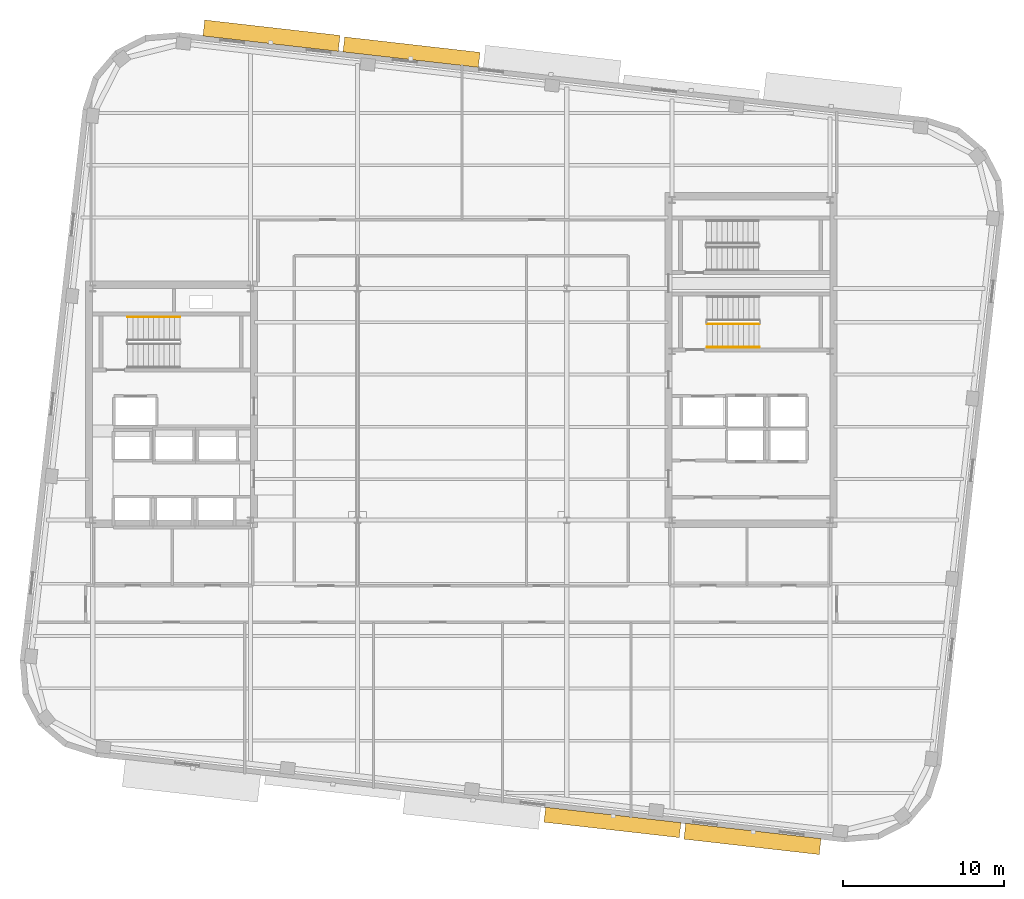
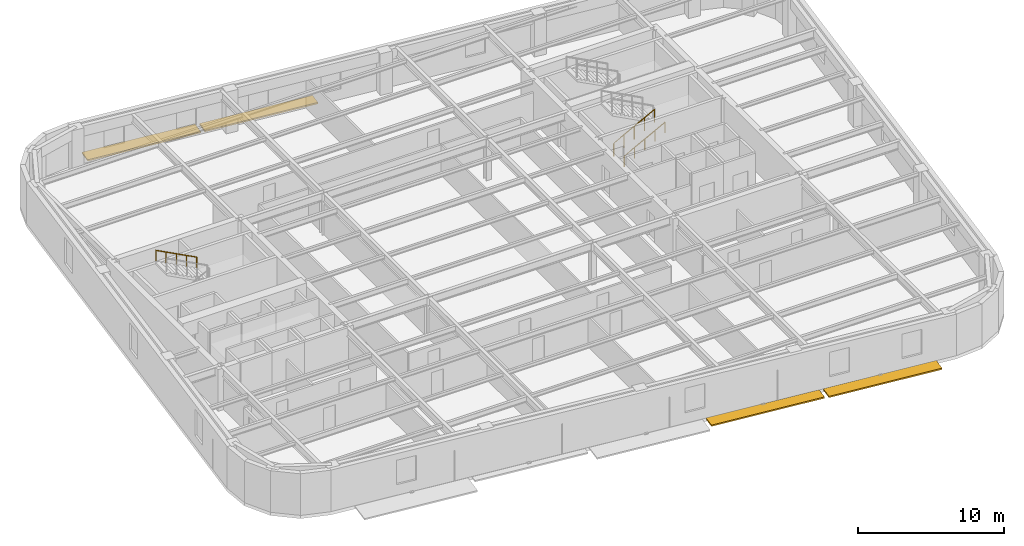
# One storey, part 11 of 12: 4 shading devices, 3 railings.
"""IFC4 building model written with IfcOpenShell, lengths in metres."""

import ifcopenshell
import ifcopenshell.guid

model = None  # the IFC model being written
_history = None  # IfcOwnerHistory: only IFC2X3 demands one
_inside = {}  # id of a spatial element -> (the spatial element, [elements in it])
_under = {}  # id of a project, library or spatial element -> (it, [spatial elements below it])
_declared = {}  # id of a project -> (the project, [libraries it declares])
_typed = {}  # id of a type object -> (the type object, [elements of that type])
_made_of = {}  # id of a material, layer set ... -> (it, [elements and type objects made of it])


def new_model(schema):
    """Start an empty IFC model of exactly this schema.

    Asked for "IFC4X3", IfcOpenShell would pick the latest addendum, in which some entities
    have other attributes; the version numbers below select the first issue.
    IFC2X3 requires an IfcOwnerHistory on every rooted entity: one is made here for all.
    """
    global model, _history
    if schema == "IFC4X3":
        model = ifcopenshell.file(schema_version=(4, 3, 0, 0))
    else:
        model = ifcopenshell.file(schema=schema)
    _inside.clear()
    _under.clear()
    _declared.clear()
    _typed.clear()
    _made_of.clear()
    _history = None
    if model.schema == "IFC2X3":
        org = make("IfcOrganization", Name="unknown")
        user = make(
            "IfcPersonAndOrganization",
            ThePerson=make("IfcPerson", FamilyName="unknown"),
            TheOrganization=org,
        )
        app = make(
            "IfcApplication",
            ApplicationDeveloper=org,
            Version="unknown",
            ApplicationFullName="unknown",
            ApplicationIdentifier="unknown",
        )
        _history = make(
            "IfcOwnerHistory",
            OwningUser=user,
            OwningApplication=app,
            ChangeAction="ADDED",
            CreationDate=0,
        )
    return model


def make(cls, **values):
    """One entity of the class cls with the attributes given. An attribute that is None is left unset."""
    return model.create_entity(
        cls, **{name: value for name, value in values.items() if value is not None}
    )


def rooted(cls, **values):
    """An entity with a GlobalId (a new one), such as an element, a storey or a relation."""
    return make(cls, GlobalId=ifcopenshell.guid.new(), OwnerHistory=_history, **values)


def si_unit(unit_type, name, prefix=None):
    """IfcSIUnit, for example si_unit("LENGTHUNIT", "METRE", prefix="MILLI")."""
    return make("IfcSIUnit", UnitType=unit_type, Prefix=prefix, Name=name)


def assignment(units):
    """IfcUnitAssignment: the units of a project."""
    return None if units is None else make("IfcUnitAssignment", Units=units)


def point(xyz):
    """IfcCartesianPoint."""
    return None if xyz is None else make("IfcCartesianPoint", Coordinates=xyz)


def direction(xyz):
    """IfcDirection."""
    return None if xyz is None else make("IfcDirection", DirectionRatios=xyz)


def frame(location, z_axis=None, x_axis=None):
    """IfcAxis2Placement3D, a coordinate frame: its origin and axes. An axis left out is left unset."""
    return make(
        "IfcAxis2Placement3D",
        Location=point(location),
        Axis=direction(z_axis),
        RefDirection=direction(x_axis),
    )


def frame_2d(location, x_axis=None):
    """IfcAxis2Placement2D, a coordinate frame in the plane: its origin and x axis."""
    return make(
        "IfcAxis2Placement2D", Location=point(location), RefDirection=direction(x_axis)
    )


def origin():
    """The frame at (0, 0, 0) with its axes left unset."""
    return frame((0.0, 0.0, 0.0))


def origin_2d():
    """The frame at (0, 0) in the plane with its x axis left unset."""
    return frame_2d((0.0, 0.0))


def place(relative_to, where):
    """IfcLocalPlacement: puts the frame where relative to a parent placement (None: the world)."""
    return make(
        "IfcLocalPlacement", PlacementRelTo=relative_to, RelativePlacement=where
    )


def context(
    kind, dimensions, precision=None, world=None, true_north=None, identifier=None
):
    """IfcGeometricRepresentationContext, for example the 3D "Model" context."""
    return make(
        "IfcGeometricRepresentationContext",
        ContextIdentifier=identifier,
        ContextType=kind,
        CoordinateSpaceDimension=dimensions,
        Precision=precision,
        WorldCoordinateSystem=world,
        TrueNorth=true_north,
    )


def subcontext(parent, identifier, kind, view, scale=None):
    """IfcGeometricRepresentationSubContext, for example "Body" below "Model"."""
    return make(
        "IfcGeometricRepresentationSubContext",
        ContextIdentifier=identifier,
        ContextType=kind,
        ParentContext=parent,
        TargetScale=scale,
        TargetView=view,
    )


def project(units=None, contexts=None):
    """IfcProject with its units and contexts."""
    return rooted(
        "IfcProject",
        Name="project",
        RepresentationContexts=contexts,
        UnitsInContext=assignment(units),
    )


def spatial(cls, under=None, at=None, **own):
    """A site, building, storey or space (cls), placed at a placement, below another one or the project."""
    s = rooted(cls, ObjectPlacement=at, **own)
    if under is not None:
        _under.setdefault(under.id(), (under, []))[1].append(s)
    return s


def profile(cls, at=None, kind="AREA", **sizes):
    """A parametric profile (cls). Its sizes go by their IFC names, for example OverallWidth=200.0."""
    return make(cls, ProfileType=kind, Position=at, **sizes)


def rectangle(**sizes):
    """IfcRectangleProfileDef."""
    return profile("IfcRectangleProfileDef", **sizes)


def circle(**sizes):
    """IfcCircleProfileDef."""
    return profile("IfcCircleProfileDef", **sizes)


def extrude(swept, where, along, depth):
    """IfcExtrudedAreaSolid: the profile swept, set in the frame where, extruded along a direction by depth."""
    return make(
        "IfcExtrudedAreaSolid",
        SweptArea=swept,
        Position=where,
        ExtrudedDirection=direction(along),
        Depth=depth,
    )


def shape(context_of_items, identifier, shape_type, items):
    """IfcShapeRepresentation: the items that make up one representation, for example the "Body"."""
    return make(
        "IfcShapeRepresentation",
        ContextOfItems=context_of_items,
        RepresentationIdentifier=identifier,
        RepresentationType=shape_type,
        Items=items,
    )


def material(Name=None, Category=None):
    """IfcMaterial."""
    return make("IfcMaterial", Name=Name, Category=Category)


def made_of(thing, what):
    """Note that an element or type object is made of a material, layer set ...; save() writes the relation."""
    if what is not None:
        _made_of.setdefault(what.id(), (what, []))[1].append(thing)
    return thing


def type_object(cls, material=None, **own):
    """A type object (cls), such as IfcWallType, which elements share."""
    return made_of(rooted(cls, **own), material)


def element(
    cls,
    number,
    at=None,
    inside=None,
    cuts=None,
    type_object=None,
    material=None,
    context=None,
    identifier="Body",
    shape_type=None,
    held_by="IfcProductDefinitionShape",
    body=None,
    shapes=None,
    **own,
):
    """One element of the class cls, such as IfcWall. Its Tag is "e" and its number.

    at: its placement. inside: the storey or other place that contains it. cuts: it is an
    opening in that element (IfcRelVoidsElement). A single representation is given by context,
    identifier, shape_type and body (its items); several are given by shapes. held_by: the class
    of the entity that holds the representations. save() writes the other relations.
    """
    e = rooted(cls, Tag="e%d" % number, ObjectPlacement=at, **own)
    if body is not None:
        shapes = [shape(context, identifier, shape_type, body)]
    if shapes is not None:
        e.Representation = make(held_by, Representations=shapes)
    if inside is not None:
        _inside.setdefault(inside.id(), (inside, []))[1].append(e)
    if cuts is not None:
        rooted(
            "IfcRelVoidsElement", RelatingBuildingElement=cuts, RelatedOpeningElement=e
        )
    if type_object is not None:
        _typed.setdefault(type_object.id(), (type_object, []))[1].append(e)
    return made_of(e, material)


def aggregate(whole, parts):
    """IfcRelAggregates: a whole, such as a stair, and the parts it consists of."""
    return rooted("IfcRelAggregates", RelatingObject=whole, RelatedObjects=parts)


def save(model, path):
    """Write the relations noted so far, then the file.

    IfcRelAggregates (storeys below a building ...), IfcRelContainedInSpatialStructure (elements
    in a storey), IfcRelDefinesByType, IfcRelAssociatesMaterial and IfcRelDeclares: one each for
    every whole, place, type object, material and project.
    """
    for whole, parts in _under.values():
        aggregate(whole, parts)
    for where, things in _inside.values():
        rooted(
            "IfcRelContainedInSpatialStructure",
            RelatedElements=things,
            RelatingStructure=where,
        )
    for kind, things in _typed.values():
        rooted("IfcRelDefinesByType", RelatedObjects=things, RelatingType=kind)
    for what, things in _made_of.values():
        rooted("IfcRelAssociatesMaterial", RelatedObjects=things, RelatingMaterial=what)
    for by, libraries in _declared.values():
        rooted("IfcRelDeclares", RelatingContext=by, RelatedDefinitions=libraries)
    model.write(path)


model = new_model("IFC4")

# Units and contexts
model_context = context("Model", 3, precision=1e-05, world=origin(), true_north=direction((0.0, 1.0)))
body_context = subcontext(model_context, "Body", "Model", "MODEL_VIEW")
ifc_project = project(units=[si_unit("LENGTHUNIT", "METRE"), si_unit("AREAUNIT", "SQUARE_METRE"), si_unit("VOLUMEUNIT", "CUBIC_METRE"), si_unit("PLANEANGLEUNIT", "RADIAN"), si_unit("MASSUNIT", "GRAM", prefix="KILO")], contexts=[model_context])

# Site, building, storey
site_placement = place(None, origin())
site = spatial("IfcSite", under=ifc_project, at=site_placement, CompositionType="ELEMENT")
building_placement = place(site_placement, origin())
building = spatial("IfcBuilding", under=site, at=building_placement, Name="Kolvaren Arena Tower", CompositionType="ELEMENT")
storey_placement = place(building_placement, frame((0.0, 0.0, 220.949951171875)))
storey = spatial("IfcBuildingStorey", under=building, at=storey_placement, Name="L53", CompositionType="ELEMENT", Elevation=220.949951171875)

# Railings
ifc_material_1 = material(Name="Painted galvanized steel", Category="steel")
railing_type_1 = type_object("IfcRailingType", Name="GUARD-ST-110", PredefinedType="GUARDRAIL", material=ifc_material_1)
railing_1_placement = place(storey_placement, frame((52.719970703125, 31.639892578125, 0.17041015625)))
element("IfcRailing", 1, at=railing_1_placement, inside=storey, type_object=railing_type_1, Name="L53 ST-E1 stair guard 1", PredefinedType="GUARDRAIL", context=body_context, shape_type="SweptSolid", body=[
    extrude(circle(Radius=0.02392578125, at=origin_2d()), frame((0.0, 0.0, 1.076171875), z_axis=(0.884993431791, 0.0, 0.465603506952), x_axis=(0.0, 1.0, 0.0)), (0.0, 0.0, 1.0), 3.6611328125),
    extrude(circle(Radius=0.02099609375, at=origin_2d()), origin(), (0.0, 0.0, 1.0), 1.052001953125),
    extrude(circle(Radius=0.02099609375, at=origin_2d()), frame((0.81005859375, 0.0, 0.42626953125)), (0.0, 0.0, 1.0), 1.052001953125),
    extrude(circle(Radius=0.02099609375, at=origin_2d()), frame((1.6201171875, 0.0, 0.852294921875)), (0.0, 0.0, 1.0), 1.052001953125),
    extrude(circle(Radius=0.02099609375, at=origin_2d()), frame((2.429931640625, 0.0, 1.2783203125)), (0.0, 0.0, 1.0), 1.052001953125),
    extrude(circle(Radius=0.02099609375, at=origin_2d()), frame((3.239990234375, 0.0, 1.70458984375)), (0.0, 0.0, 1.0), 1.052001953125),
])
ifc_material_2 = material(Name="Brushed stainless steel handrail", Category="steel")
railing_type_2 = type_object("IfcRailingType", Name="HRAIL-900", PredefinedType="HANDRAIL", material=ifc_material_2)
railing_2_placement = place(storey_placement, frame((19.9599609375, 32.080078125, 2.04541015625)))
element("IfcRailing", 2, at=railing_2_placement, inside=storey, type_object=railing_type_2, Name="L53 ST-W1 stair handrail 2", PredefinedType="HANDRAIL", context=body_context, shape_type="SweptSolid", body=[
    extrude(circle(Radius=0.02392578125, at=origin_2d()), frame((0.0, 0.0, 0.8759765625), z_axis=(-0.884993431791, 0.0, 0.465603506952), x_axis=(0.0, -1.0, 0.0)), (0.0, 0.0, 1.0), 3.6611328125),
    extrude(circle(Radius=0.02099609375, at=origin_2d()), origin(), (0.0, 0.0, 1.0), 0.851806640625),
    extrude(circle(Radius=0.02099609375, at=origin_2d()), frame((-0.81005859375, 0.0, 0.42626953125)), (0.0, 0.0, 1.0), 0.851806640625),
    extrude(circle(Radius=0.02099609375, at=origin_2d()), frame((-1.6201171875, 0.0, 0.852294921875)), (0.0, 0.0, 1.0), 0.851806640625),
    extrude(circle(Radius=0.02099609375, at=origin_2d()), frame((-2.429931640625, 0.0, 1.2783203125)), (0.0, 0.0, 1.0), 0.851806640625),
    extrude(circle(Radius=0.02099609375, at=origin_2d()), frame((-3.239990234375, 0.0, 1.70458984375)), (0.0, 0.0, 1.0), 0.851806640625),
])
railing_3_placement = place(storey_placement, frame((52.719970703125, 30.199951171875, 0.17041015625)))
element("IfcRailing", 3, at=railing_3_placement, inside=storey, type_object=railing_type_2, Name="L53 ST-E1 stair handrail 1", PredefinedType="HANDRAIL", context=body_context, shape_type="SweptSolid", body=[
    extrude(circle(Radius=0.02392578125, at=origin_2d()), frame((0.0, 0.0, 0.8759765625), z_axis=(0.884993431791, 0.0, 0.465603506952), x_axis=(0.0, 1.0, 0.0)), (0.0, 0.0, 1.0), 3.6611328125),
    extrude(circle(Radius=0.02099609375, at=origin_2d()), origin(), (0.0, 0.0, 1.0), 0.851806640625),
    extrude(circle(Radius=0.02099609375, at=origin_2d()), frame((0.81005859375, 0.0, 0.42626953125)), (0.0, 0.0, 1.0), 0.851806640625),
    extrude(circle(Radius=0.02099609375, at=origin_2d()), frame((1.6201171875, 0.0, 0.852294921875)), (0.0, 0.0, 1.0), 0.851806640625),
    extrude(circle(Radius=0.02099609375, at=origin_2d()), frame((2.429931640625, 0.0, 1.2783203125)), (0.0, 0.0, 1.0), 0.851806640625),
    extrude(circle(Radius=0.02099609375, at=origin_2d()), frame((3.239990234375, 0.0, 1.70458984375)), (0.0, 0.0, 1.0), 0.851806640625),
])

# Shading devices
ifc_material_3 = material(Name="Architectural precast GFRC and anodised aluminium sunshade", Category="concrete")
shading_device_type = type_object("IfcShadingDeviceType", Name="SHAD-SINE-A", PredefinedType="USERDEFINED", material=ifc_material_3)
shading_device_1_placement = place(storey_placement, frame((25.658447265625, 49.551025390625, -0.139892578125), z_axis=(0.0, 0.0, 1.0), x_axis=(0.993571658098, -0.113204947878, 0.0)))
element("IfcShadingDevice", 4, at=shading_device_1_placement, inside=storey, type_object=shading_device_type, Name="Sinusoidal Slab-Edge Sunshade Louvre (L53)", ObjectType="LOUVRE", PredefinedType="USERDEFINED", context=body_context, shape_type="SweptSolid", body=[
    extrude(rectangle(XDim=8.4599609375, YDim=0.998291015625, at=origin_2d()), origin(), (0.0, 0.0, 1.0), 0.1201171875),
])
shading_device_2_placement = place(storey_placement, frame((34.358642578125, 48.528564453125, -0.139892578125), z_axis=(0.0, 0.0, 1.0), x_axis=(0.993571658098, -0.113204947878, 0.0)))
element("IfcShadingDevice", 5, at=shading_device_2_placement, inside=storey, type_object=shading_device_type, Name="Sinusoidal Slab-Edge Sunshade Louvre (L53)", ObjectType="LOUVRE", PredefinedType="USERDEFINED", context=body_context, shape_type="SweptSolid", body=[
    extrude(rectangle(XDim=8.4599609375, YDim=0.936279296875, at=origin_2d()), origin(), (0.0, 0.0, 1.0), 0.1201171875),
])
shading_device_3_placement = place(storey_placement, frame((55.54150390625, -0.35107421875, -0.139892578125), z_axis=(0.0, 0.0, 1.0), x_axis=(-0.993571658098, 0.113204947878, 0.0)))
element("IfcShadingDevice", 6, at=shading_device_3_placement, inside=storey, type_object=shading_device_type, Name="Sinusoidal Slab-Edge Sunshade Louvre (L53)", ObjectType="LOUVRE", PredefinedType="USERDEFINED", context=body_context, shape_type="SweptSolid", body=[
    extrude(rectangle(XDim=8.4599609375, YDim=0.998291015625, at=origin_2d()), origin(), (0.0, 0.0, 1.0), 0.1201171875),
])
shading_device_4_placement = place(storey_placement, frame((46.84130859375, 0.67138671875, -0.139892578125), z_axis=(0.0, 0.0, 1.0), x_axis=(-0.993571658098, 0.113204947878, 0.0)))
element("IfcShadingDevice", 7, at=shading_device_4_placement, inside=storey, type_object=shading_device_type, Name="Sinusoidal Slab-Edge Sunshade Louvre (L53)", ObjectType="LOUVRE", PredefinedType="USERDEFINED", context=body_context, shape_type="SweptSolid", body=[
    extrude(rectangle(XDim=8.4599609375, YDim=0.936279296875, at=origin_2d()), origin(), (0.0, 0.0, 1.0), 0.1201171875),
])

save(model, "model.ifc")
